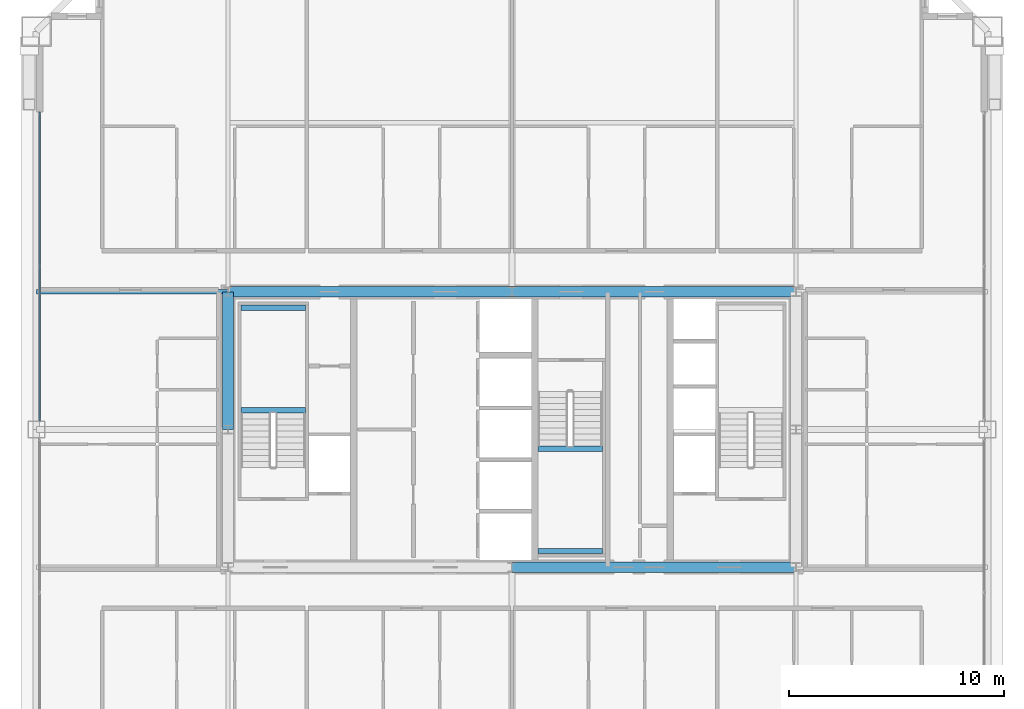
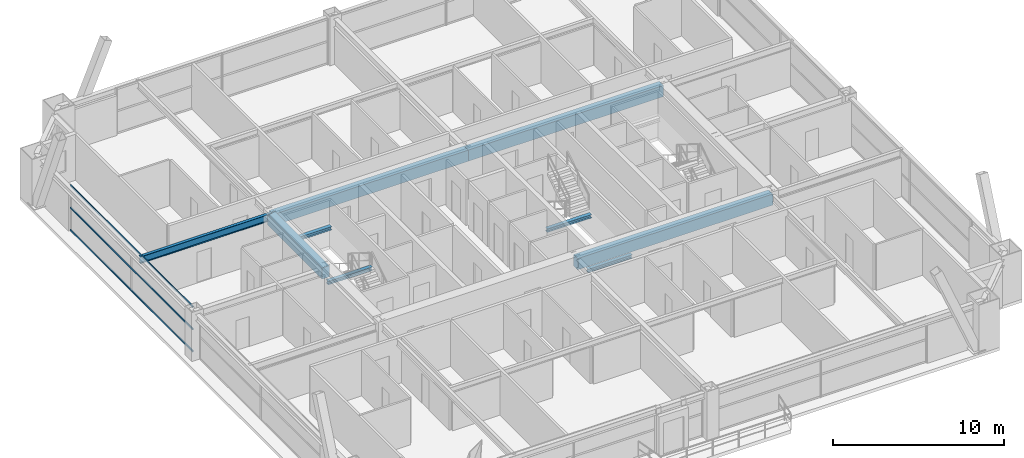
# One storey, part 16 of 42: 9 beams, 3 members, 1 element without a shape of its own.
"""IFC4 building model written with IfcOpenShell, lengths in metres."""

import ifcopenshell
import ifcopenshell.guid

model = None  # the IFC model being written
_history = None  # IfcOwnerHistory: only IFC2X3 demands one
_inside = {}  # id of a spatial element -> (the spatial element, [elements in it])
_under = {}  # id of a project, library or spatial element -> (it, [spatial elements below it])
_declared = {}  # id of a project -> (the project, [libraries it declares])
_typed = {}  # id of a type object -> (the type object, [elements of that type])
_made_of = {}  # id of a material, layer set ... -> (it, [elements and type objects made of it])


def new_model(schema):
    """Start an empty IFC model of exactly this schema.

    Asked for "IFC4X3", IfcOpenShell would pick the latest addendum, in which some entities
    have other attributes; the version numbers below select the first issue.
    IFC2X3 requires an IfcOwnerHistory on every rooted entity: one is made here for all.
    """
    global model, _history
    if schema == "IFC4X3":
        model = ifcopenshell.file(schema_version=(4, 3, 0, 0))
    else:
        model = ifcopenshell.file(schema=schema)
    _inside.clear()
    _under.clear()
    _declared.clear()
    _typed.clear()
    _made_of.clear()
    _history = None
    if model.schema == "IFC2X3":
        org = make("IfcOrganization", Name="unknown")
        user = make(
            "IfcPersonAndOrganization",
            ThePerson=make("IfcPerson", FamilyName="unknown"),
            TheOrganization=org,
        )
        app = make(
            "IfcApplication",
            ApplicationDeveloper=org,
            Version="unknown",
            ApplicationFullName="unknown",
            ApplicationIdentifier="unknown",
        )
        _history = make(
            "IfcOwnerHistory",
            OwningUser=user,
            OwningApplication=app,
            ChangeAction="ADDED",
            CreationDate=0,
        )
    return model


def make(cls, **values):
    """One entity of the class cls with the attributes given. An attribute that is None is left unset."""
    return model.create_entity(
        cls, **{name: value for name, value in values.items() if value is not None}
    )


def rooted(cls, **values):
    """An entity with a GlobalId (a new one), such as an element, a storey or a relation."""
    return make(cls, GlobalId=ifcopenshell.guid.new(), OwnerHistory=_history, **values)


def si_unit(unit_type, name, prefix=None):
    """IfcSIUnit, for example si_unit("LENGTHUNIT", "METRE", prefix="MILLI")."""
    return make("IfcSIUnit", UnitType=unit_type, Prefix=prefix, Name=name)


def assignment(units):
    """IfcUnitAssignment: the units of a project."""
    return None if units is None else make("IfcUnitAssignment", Units=units)


def point(xyz):
    """IfcCartesianPoint."""
    return None if xyz is None else make("IfcCartesianPoint", Coordinates=xyz)


def direction(xyz):
    """IfcDirection."""
    return None if xyz is None else make("IfcDirection", DirectionRatios=xyz)


def frame(location, z_axis=None, x_axis=None):
    """IfcAxis2Placement3D, a coordinate frame: its origin and axes. An axis left out is left unset."""
    return make(
        "IfcAxis2Placement3D",
        Location=point(location),
        Axis=direction(z_axis),
        RefDirection=direction(x_axis),
    )


def frame_2d(location, x_axis=None):
    """IfcAxis2Placement2D, a coordinate frame in the plane: its origin and x axis."""
    return make(
        "IfcAxis2Placement2D", Location=point(location), RefDirection=direction(x_axis)
    )


def origin():
    """The frame at (0, 0, 0) with its axes left unset."""
    return frame((0.0, 0.0, 0.0))


def origin_2d():
    """The frame at (0, 0) in the plane with its x axis left unset."""
    return frame_2d((0.0, 0.0))


def place(relative_to, where):
    """IfcLocalPlacement: puts the frame where relative to a parent placement (None: the world)."""
    return make(
        "IfcLocalPlacement", PlacementRelTo=relative_to, RelativePlacement=where
    )


def context(
    kind, dimensions, precision=None, world=None, true_north=None, identifier=None
):
    """IfcGeometricRepresentationContext, for example the 3D "Model" context."""
    return make(
        "IfcGeometricRepresentationContext",
        ContextIdentifier=identifier,
        ContextType=kind,
        CoordinateSpaceDimension=dimensions,
        Precision=precision,
        WorldCoordinateSystem=world,
        TrueNorth=true_north,
    )


def subcontext(parent, identifier, kind, view, scale=None):
    """IfcGeometricRepresentationSubContext, for example "Body" below "Model"."""
    return make(
        "IfcGeometricRepresentationSubContext",
        ContextIdentifier=identifier,
        ContextType=kind,
        ParentContext=parent,
        TargetScale=scale,
        TargetView=view,
    )


def project(units=None, contexts=None):
    """IfcProject with its units and contexts."""
    return rooted(
        "IfcProject",
        Name="project",
        RepresentationContexts=contexts,
        UnitsInContext=assignment(units),
    )


def spatial(cls, under=None, at=None, **own):
    """A site, building, storey or space (cls), placed at a placement, below another one or the project."""
    s = rooted(cls, ObjectPlacement=at, **own)
    if under is not None:
        _under.setdefault(under.id(), (under, []))[1].append(s)
    return s


def profile(cls, at=None, kind="AREA", **sizes):
    """A parametric profile (cls). Its sizes go by their IFC names, for example OverallWidth=200.0."""
    return make(cls, ProfileType=kind, Position=at, **sizes)


def rectangle(**sizes):
    """IfcRectangleProfileDef."""
    return profile("IfcRectangleProfileDef", **sizes)


def hollow_rectangle(**sizes):
    """IfcRectangleHollowProfileDef."""
    return profile("IfcRectangleHollowProfileDef", **sizes)


def i_section(**sizes):
    """IfcIShapeProfileDef."""
    return profile("IfcIShapeProfileDef", **sizes)


def extrude(swept, where, along, depth):
    """IfcExtrudedAreaSolid: the profile swept, set in the frame where, extruded along a direction by depth."""
    return make(
        "IfcExtrudedAreaSolid",
        SweptArea=swept,
        Position=where,
        ExtrudedDirection=direction(along),
        Depth=depth,
    )


def shape(context_of_items, identifier, shape_type, items):
    """IfcShapeRepresentation: the items that make up one representation, for example the "Body"."""
    return make(
        "IfcShapeRepresentation",
        ContextOfItems=context_of_items,
        RepresentationIdentifier=identifier,
        RepresentationType=shape_type,
        Items=items,
    )


def source(mapping_origin, context_of_items, identifier, shape_type, items):
    """IfcRepresentationMap: a shape defined once, which mapped items show again and again."""
    return make(
        "IfcRepresentationMap",
        MappingOrigin=mapping_origin,
        MappedRepresentation=shape(context_of_items, identifier, shape_type, items),
    )


def transform(
    local_origin,
    x_axis=None,
    y_axis=None,
    z_axis=None,
    scale=None,
    scale2=None,
    scale3=None,
    uniform=True,
):
    """IfcCartesianTransformationOperator3D, or its non-uniform kind. x_axis, y_axis, z_axis: its Axis1, 2, 3."""
    if uniform:
        return make(
            "IfcCartesianTransformationOperator3D",
            Axis1=direction(x_axis),
            Axis2=direction(y_axis),
            LocalOrigin=point(local_origin),
            Scale=scale,
            Axis3=direction(z_axis),
        )
    return make(
        "IfcCartesianTransformationOperator3DnonUniform",
        Axis1=direction(x_axis),
        Axis2=direction(y_axis),
        LocalOrigin=point(local_origin),
        Scale=scale,
        Axis3=direction(z_axis),
        Scale2=scale2,
        Scale3=scale3,
    )


def mapped(mapping_source, mapping_target):
    """IfcMappedItem: shows the shape of a source again, moved by a transform."""
    return make(
        "IfcMappedItem", MappingSource=mapping_source, MappingTarget=mapping_target
    )


def material(Name=None, Category=None):
    """IfcMaterial."""
    return make("IfcMaterial", Name=Name, Category=Category)


def layer(
    of_material, thickness, ventilated=None, Name=None, Category=None, Priority=None
):
    """IfcMaterialLayer: one layer of a wall or slab, of a material (None: an air gap)."""
    return make(
        "IfcMaterialLayer",
        Material=of_material,
        LayerThickness=thickness,
        IsVentilated=ventilated,
        Name=Name,
        Category=Category,
        Priority=Priority,
    )


def layer_set(layers, Name=None):
    """IfcMaterialLayerSet."""
    return make("IfcMaterialLayerSet", MaterialLayers=layers, LayerSetName=Name)


def material_profile(
    of_material, cross_section, Name=None, Category=None, Priority=None
):
    """IfcMaterialProfile: a cross section and its material."""
    return make(
        "IfcMaterialProfile",
        Name=Name,
        Material=of_material,
        Profile=cross_section,
        Priority=Priority,
        Category=Category,
    )


def profile_set(profiles, Name=None, composite=None):
    """IfcMaterialProfileSet."""
    return make(
        "IfcMaterialProfileSet",
        Name=Name,
        MaterialProfiles=profiles,
        CompositeProfile=composite,
    )


def made_of(thing, what):
    """Note that an element or type object is made of a material, layer set ...; save() writes the relation."""
    if what is not None:
        _made_of.setdefault(what.id(), (what, []))[1].append(thing)
    return thing


def type_object(cls, material=None, **own):
    """A type object (cls), such as IfcWallType, which elements share."""
    return made_of(rooted(cls, **own), material)


def element(
    cls,
    number,
    at=None,
    inside=None,
    cuts=None,
    type_object=None,
    material=None,
    context=None,
    identifier="Body",
    shape_type=None,
    held_by="IfcProductDefinitionShape",
    body=None,
    shapes=None,
    **own,
):
    """One element of the class cls, such as IfcWall. Its Tag is "e" and its number.

    at: its placement. inside: the storey or other place that contains it. cuts: it is an
    opening in that element (IfcRelVoidsElement). A single representation is given by context,
    identifier, shape_type and body (its items); several are given by shapes. held_by: the class
    of the entity that holds the representations. save() writes the other relations.
    """
    e = rooted(cls, Tag="e%d" % number, ObjectPlacement=at, **own)
    if body is not None:
        shapes = [shape(context, identifier, shape_type, body)]
    if shapes is not None:
        e.Representation = make(held_by, Representations=shapes)
    if inside is not None:
        _inside.setdefault(inside.id(), (inside, []))[1].append(e)
    if cuts is not None:
        rooted(
            "IfcRelVoidsElement", RelatingBuildingElement=cuts, RelatedOpeningElement=e
        )
    if type_object is not None:
        _typed.setdefault(type_object.id(), (type_object, []))[1].append(e)
    return made_of(e, material)


def aggregate(whole, parts):
    """IfcRelAggregates: a whole, such as a stair, and the parts it consists of."""
    return rooted("IfcRelAggregates", RelatingObject=whole, RelatedObjects=parts)


def save(model, path):
    """Write the relations noted so far, then the file.

    IfcRelAggregates (storeys below a building ...), IfcRelContainedInSpatialStructure (elements
    in a storey), IfcRelDefinesByType, IfcRelAssociatesMaterial and IfcRelDeclares: one each for
    every whole, place, type object, material and project.
    """
    for whole, parts in _under.values():
        aggregate(whole, parts)
    for where, things in _inside.values():
        rooted(
            "IfcRelContainedInSpatialStructure",
            RelatedElements=things,
            RelatingStructure=where,
        )
    for kind, things in _typed.values():
        rooted("IfcRelDefinesByType", RelatedObjects=things, RelatingType=kind)
    for what, things in _made_of.values():
        rooted("IfcRelAssociatesMaterial", RelatedObjects=things, RelatingMaterial=what)
    for by, libraries in _declared.values():
        rooted("IfcRelDeclares", RelatingContext=by, RelatedDefinitions=libraries)
    model.write(path)


model = new_model("IFC4")

# Units and contexts
model_context = context("Model", 3, precision=1e-05, world=origin(), true_north=direction((0.0, 1.0)))
body_context = subcontext(model_context, "Body", "Model", "MODEL_VIEW")
ifc_project = project(units=[si_unit("LENGTHUNIT", "METRE"), si_unit("AREAUNIT", "SQUARE_METRE"), si_unit("VOLUMEUNIT", "CUBIC_METRE"), si_unit("PLANEANGLEUNIT", "RADIAN"), si_unit("MASSUNIT", "GRAM", prefix="KILO"), si_unit("THERMODYNAMICTEMPERATUREUNIT", "KELVIN"), si_unit("POWERUNIT", "WATT")], contexts=[model_context])

# Site, building, storey
site_placement = place(None, origin())
site = spatial("IfcSite", under=ifc_project, at=site_placement, CompositionType="ELEMENT")
building_placement = place(site_placement, origin())
building = spatial("IfcBuilding", under=site, at=building_placement, Name="Yuzanri Waterfront Tower", CompositionType="ELEMENT")
storey_placement = place(building_placement, frame((0.0, 0.0, 184.5)))
storey = spatial("IfcBuildingStorey", under=building, at=storey_placement, Name="L48", CompositionType="ELEMENT", Elevation=184.5)

# Beams
ifc_material_1 = material(Name="Steel Q355B", Category="steel")
ifc_material_profile_1 = material_profile(ifc_material_1, i_section(OverallWidth=0.199951171875, OverallDepth=0.5, WebThickness=0.010009765625, FlangeThickness=0.01611328125, at=origin_2d()), Name="HN 500x200x10x16")
ifc_profile_set_1 = profile_set([ifc_material_profile_1], Name="Steel Q355B")
beam_type_1 = type_object("IfcBeamType", Name="Secondary Floor Beam Q355B HN 500x200", PredefinedType="BEAM", material=ifc_profile_set_1)
shared_shape_1 = source(origin(), body_context, "Body", "SweptSolid", [
    extrude(i_section(OverallWidth=0.199951171875, OverallDepth=0.5, WebThickness=0.010009765625, FlangeThickness=0.01611328125, at=origin_2d()), origin(), (0.0, 0.0, 1.0), 8.900146484375),
])
beam_1_placement = place(storey_placement, frame((23.800048828125, 32.199951171875, 3.030029296875), z_axis=(-1.0, 0.0, 0.0), x_axis=(0.0, -1.0, 0.0)))
element("IfcBeam", 1, at=beam_1_placement, inside=storey, type_object=beam_type_1, Name="L48 West-North Core Line Beam", PredefinedType="BEAM", context=body_context, shape_type="MappedRepresentation", body=[
    mapped(shared_shape_1, transform((0.0, 0.0, 0.0), scale=1.0)),
])
ifc_material_2 = material(Name="Concrete C50", Category="concrete")
ifc_material_profile_2 = material_profile(ifc_material_2, rectangle(XDim=0.5, YDim=0.800048828125, at=origin_2d()), Name="RC 500x800")
ifc_profile_set_2 = profile_set([ifc_material_profile_2], Name="Concrete C50")
beam_type_2 = type_object("IfcBeamType", Name="Core Coupling Lintel Concrete C50 500x800", PredefinedType="LINTEL", material=ifc_profile_set_2)
shared_shape_2 = source(origin(), body_context, "Body", "SweptSolid", [
    extrude(rectangle(XDim=0.5, YDim=0.800048828125, at=origin_2d()), origin(), (0.0, 0.0, 1.0), 13.199951171875),
])
for number, where, z_axis, x_axis, name in (
    (2, (37.0, 19.39990234375, 2.8798828125), (1.0, 0.0, 0.0), (0.0, 1.0, 0.0), "L48 Core Tie Beam CS2"),
    (3, (23.800048828125, 32.199951171875, 2.8798828125), (1.0, 0.0, 0.0), (0.0, 1.0, 0.0), "L48 Core Tie Beam CN1"),
    (4, (37.0, 32.199951171875, 2.8798828125), (1.0, 0.0, 0.0), (0.0, 1.0, 0.0), "L48 Core Tie Beam CN2"),
):
    element("IfcBeam", number, at=place(storey_placement, frame(where, z_axis=z_axis, x_axis=x_axis)), inside=storey, type_object=beam_type_2, Name=name, PredefinedType="LINTEL", context=body_context, shape_type="MappedRepresentation", body=[
        mapped(shared_shape_2, transform((0.0, 0.0, 0.0), scale=1.0)),
    ])
shared_shape_3 = source(origin(), body_context, "Body", "SweptSolid", [
    extrude(rectangle(XDim=0.5, YDim=0.800048828125, at=origin_2d()), origin(), (0.0, 0.0, 1.0), 6.39990234375),
])
beam_2_placement = place(storey_placement, frame((23.800048828125, 25.800048828125, 2.8798828125), z_axis=(0.0, 1.0, 0.0), x_axis=(-1.0, 0.0, 0.0)))
element("IfcBeam", 5, at=beam_2_placement, inside=storey, type_object=beam_type_2, Name="L48 Core Tie Beam CW2", PredefinedType="LINTEL", context=body_context, shape_type="MappedRepresentation", body=[
    mapped(shared_shape_3, transform((0.0, 0.0, 0.0), scale=1.0)),
])

# Curtain wall, members
ifc_material_3 = material(Name="Anodized Architectural Bronze", Category="metal")
ifc_layer = layer(ifc_material_3, 0.159912109375)
ifc_layer_set = layer_set([ifc_layer], Name="Anodized Architectural Bronze")
curtain_wall_type = type_object("IfcCurtainWallType", Name="Anodized Bronze Mid-Rise Residential Acoustic Unitized Curtain Wall 7200", PredefinedType="NOTDEFINED", material=ifc_layer_set)
curtain_wall_placement = place(storey_placement, origin())
curtain_wall = element("IfcCurtainWall", 6, at=curtain_wall_placement, inside=storey, type_object=curtain_wall_type, Name="L48 Curtain Wall CW-L48-WR", PredefinedType="NOTDEFINED")
ifc_material_4 = material(Name="Anodized Architectural Bronze", Category="metal")
ifc_material_profile_3 = material_profile(ifc_material_4, hollow_rectangle(XDim=0.06494140625, YDim=0.1201171875, WallThickness=0.00341796875, at=origin_2d()), Name="CWT 65x120")
ifc_profile_set_3 = profile_set([ifc_material_profile_3], Name="Anodized Architectural Bronze")
member_type = type_object("IfcMemberType", Name="Anodized Bronze Secondary Curtain-Wall Transom 65x120", PredefinedType="USERDEFINED", material=ifc_profile_set_3)
shared_shape_4 = source(origin(), body_context, "Body", "SweptSolid", [
    extrude(hollow_rectangle(XDim=0.06494140625, YDim=0.1201171875, WallThickness=0.00341796875, at=origin_2d()), origin(), (0.0, 0.0, 1.0), 14.35009765625),
])
member_1_placement = place(storey_placement, frame((15.050048828125, 26.199951171875, 0.050048828125), z_axis=(0.0, 1.0, 0.0), x_axis=(-1.0, 0.0, 0.0)))
member_1 = element("IfcMember", 7, at=member_1_placement, type_object=member_type, Name="CW-L48-WR Transom 1", ObjectType="TRANSOM", PredefinedType="USERDEFINED", context=body_context, shape_type="MappedRepresentation", body=[
    mapped(shared_shape_4, transform((0.0, 0.0, 0.0), scale=1.0)),
])
member_2_placement = place(storey_placement, frame((15.050048828125, 26.199951171875, 1.639892578125), z_axis=(0.0, 1.0, 0.0), x_axis=(-1.0, 0.0, 0.0)))
member_2 = element("IfcMember", 8, at=member_2_placement, type_object=member_type, Name="CW-L48-WR Transom 2", ObjectType="TRANSOM", PredefinedType="USERDEFINED", context=body_context, shape_type="MappedRepresentation", body=[
    mapped(shared_shape_4, transform((0.0, 0.0, 0.0), scale=1.0)),
])
member_3_placement = place(storey_placement, frame((15.050048828125, 26.199951171875, 3.22998046875), z_axis=(0.0, 1.0, 0.0), x_axis=(-1.0, 0.0, 0.0)))
member_3 = element("IfcMember", 9, at=member_3_placement, type_object=member_type, Name="CW-L48-WR Transom 3", ObjectType="TRANSOM", PredefinedType="USERDEFINED", context=body_context, shape_type="MappedRepresentation", body=[
    mapped(shared_shape_4, transform((0.0, 0.0, 0.0), scale=1.0)),
])
aggregate(curtain_wall, [member_1, member_2, member_3])

# Beams
ifc_material_5 = material(Name="Steel Q355B", Category="steel")
ifc_material_profile_4 = material_profile(ifc_material_5, i_section(OverallWidth=0.25, OverallDepth=0.25, WebThickness=0.009033203125, FlangeThickness=0.013916015625, at=origin_2d()), Name="HW 250x250x9x14")
ifc_profile_set_4 = profile_set([ifc_material_profile_4], Name="Steel Q355B")
beam_type_3 = type_object("IfcBeamType", Name="Stair Landing Support Beam Q355B HW 250x250", PredefinedType="BEAM", material=ifc_profile_set_4)
shared_shape_5 = source(origin(), body_context, "Body", "SweptSolid", [
    extrude(i_section(OverallWidth=0.25, OverallDepth=0.25, WebThickness=0.009033203125, FlangeThickness=0.013916015625, at=origin_2d()), origin(), (0.0, 0.0, 1.0), 3.0),
])
for number, where, z_axis, x_axis, name in (
    (10, (24.39990234375, 26.68994140625, 1.425048828125), (1.0, 0.0, 0.0), (0.0, 1.0, 0.0), "L48 Stair Landing Support Beam ST-01-L48-L1-1"),
    (11, (24.39990234375, 31.449951171875, 1.425048828125), (1.0, 0.0, 0.0), (0.0, 1.0, 0.0), "L48 Stair Landing Support Beam ST-01-L48-L1-2"),
    (12, (38.199951171875, 20.14990234375, 1.425048828125), (1.0, 0.0, 0.0), (0.0, 1.0, 0.0), "L48 Stair Landing Support Beam ST-03-L48-L1-1"),
    (13, (38.199951171875, 24.909912109375, 1.425048828125), (1.0, 0.0, 0.0), (0.0, 1.0, 0.0), "L48 Stair Landing Support Beam ST-03-L48-L1-2"),
):
    element("IfcBeam", number, at=place(storey_placement, frame(where, z_axis=z_axis, x_axis=x_axis)), inside=storey, type_object=beam_type_3, Name=name, PredefinedType="BEAM", context=body_context, shape_type="MappedRepresentation", body=[
        mapped(shared_shape_5, transform((0.0, 0.0, 0.0), scale=1.0)),
    ])

save(model, "model.ifc")
